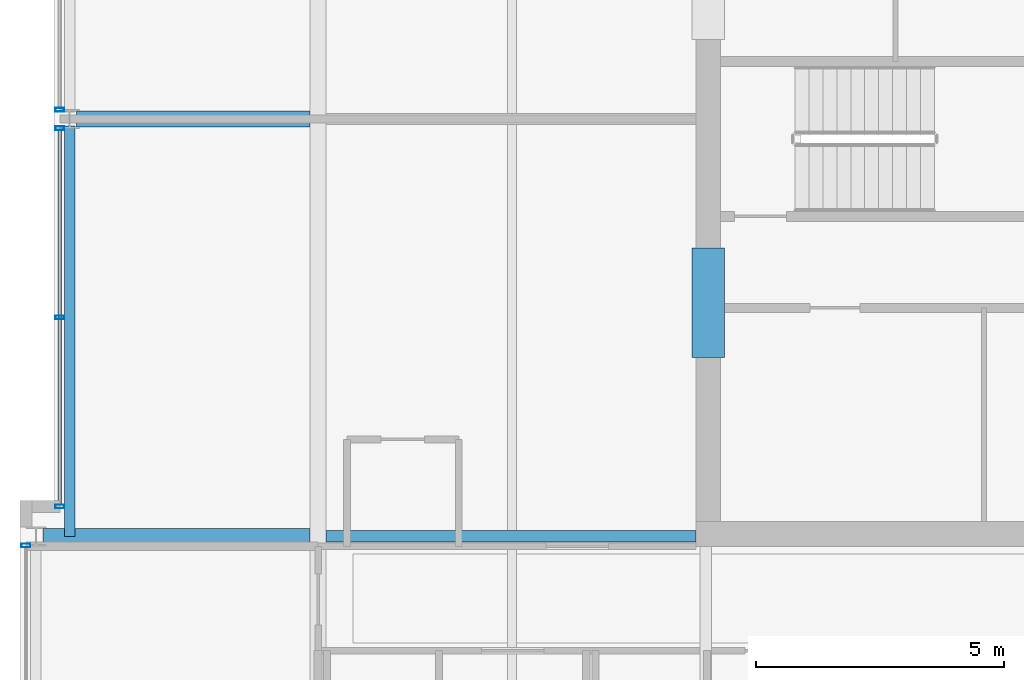
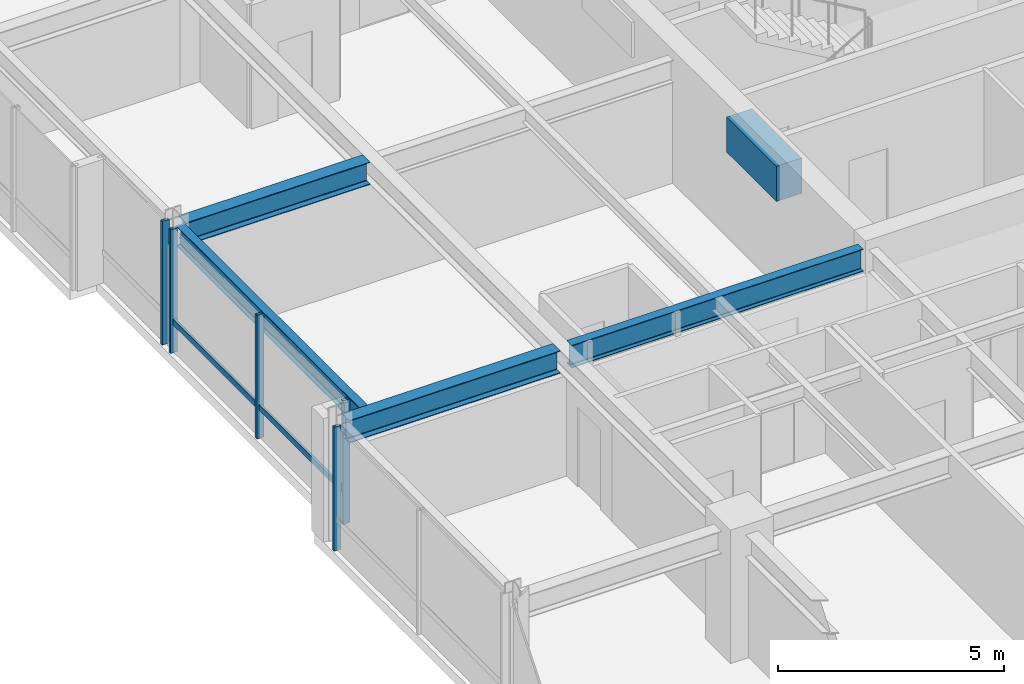
# One storey, part 9 of 34: 6 members, 5 beams, 3 elements without a shape of their own.
"""IFC4 building model written with IfcOpenShell, lengths in metres."""

from ifc_helpers import new_model, si_unit, direction, frame, origin, origin_2d, place, context, subcontext, project, spatial, rectangle, hollow_rectangle, i_section, extrude, material, layer, layer_set, material_profile, profile_set, type_object, element, aggregate, save


model = new_model("IFC4")

# Units and contexts
model_context = context("Model", 3, precision=1e-05, world=origin(), true_north=direction((0.0, 1.0)))
body_context = subcontext(model_context, "Body", "Model", "MODEL_VIEW")
ifc_project = project(units=[si_unit("LENGTHUNIT", "METRE"), si_unit("AREAUNIT", "SQUARE_METRE"), si_unit("VOLUMEUNIT", "CUBIC_METRE"), si_unit("PLANEANGLEUNIT", "RADIAN"), si_unit("MASSUNIT", "GRAM", prefix="KILO")], contexts=[model_context])

# Site, building, storey
site_placement = place(None, origin())
site = spatial("IfcSite", under=ifc_project, at=site_placement, CompositionType="ELEMENT")
building_placement = place(site_placement, origin())
building = spatial("IfcBuilding", under=site, at=building_placement, Name="Drelvath Grand Hotel", CompositionType="ELEMENT")
storey_placement = place(building_placement, frame((0.0, 0.0, 208.699951171875)))
storey = spatial("IfcBuildingStorey", under=building, at=storey_placement, Name="L54", CompositionType="ELEMENT", Elevation=208.699951171875)

# Beam
ifc_material_1 = material(Name="Concrete f'c 55 MPa", Category="concrete")
ifc_material_profile_1 = material_profile(ifc_material_1, rectangle(XDim=0.64990234375, YDim=0.949951171875, at=origin_2d()), Name="CB650X950")
ifc_profile_set_1 = profile_set([ifc_material_profile_1], Name="Concrete f'c 55 MPa")
beam_type_1 = type_object("IfcBeamType", Name="Core Coupling Lintel CB650X950", PredefinedType="LINTEL", material=ifc_profile_set_1)
beam_1_placement = place(storey_placement, frame((-8.35009765625, 22.199951171875, 2.864990234375), z_axis=(0.0, 1.0, 0.0), x_axis=(-1.0, 0.0, 0.0)))
element("IfcBeam", 1, at=beam_1_placement, inside=storey, type_object=beam_type_1, Name="L54 Core Coupling Lintel WS", PredefinedType="LINTEL", context=body_context, shape_type="SweptSolid", body=[
    extrude(rectangle(XDim=0.64990234375, YDim=0.949951171875, at=origin_2d()), origin(), (0.0, 0.0, 1.0), 2.199951171875),
])

# Curtain wall, member
ifc_material_2 = material(Name="Platinum-Mist Anodised Aluminium Frame", Category="aluminium")
ifc_layer = layer(ifc_material_2, 0.199951171875)
ifc_layer_set = layer_set([ifc_layer], Name="Platinum-Mist Anodised Aluminium Frame")
curtain_wall_type = type_object("IfcCurtainWallType", Name="Stick Curtain Wall CW-05 Platinum Mist High-Rise", PredefinedType="NOTDEFINED", material=ifc_layer_set)
curtain_wall_1_placement = place(storey_placement, origin())
curtain_wall_1 = element("IfcCurtainWall", 2, at=curtain_wall_1_placement, inside=storey, type_object=curtain_wall_type, Name="L54 CW-05 Curtain Wall CW05-L54-WM1", PredefinedType="NOTDEFINED")
ifc_material_profile_2 = material_profile(ifc_material_2, hollow_rectangle(XDim=0.06494140625, YDim=0.159912109375, WallThickness=0.00390625, at=origin_2d()), Name="HSS160X65X4")
ifc_profile_set_2 = profile_set([ifc_material_profile_2], Name="Platinum-Mist Anodised Aluminium Frame")
member_type_1 = type_object("IfcMemberType", Name="Curtain Wall Horizontal Transom CW-05 HSS160X65X4", PredefinedType="USERDEFINED", material=ifc_profile_set_2)
member_1_placement = place(storey_placement, frame((-21.39990234375, 19.239990234375, 0.8349609375), z_axis=(0.0, 1.0, 0.0), x_axis=(-1.0, 0.0, 0.0)))
member_1 = element("IfcMember", 3, at=member_1_placement, type_object=member_type_1, Name="CW05-L54-WM1 Sill Transom", ObjectType="TRANSOM", PredefinedType="USERDEFINED", context=body_context, shape_type="SweptSolid", body=[
    extrude(hollow_rectangle(XDim=0.06494140625, YDim=0.159912109375, WallThickness=0.00390625, at=origin_2d()), origin(), (0.0, 0.0, 1.0), 7.53466796875),
])

curtain_wall_2_placement = place(storey_placement, origin())
curtain_wall_2 = element("IfcCurtainWall", 4, at=curtain_wall_2_placement, inside=storey, type_object=curtain_wall_type, Name="L54 CW-05 Curtain Wall CW05-L54-WS2", PredefinedType="NOTDEFINED")
ifc_material_profile_3 = material_profile(ifc_material_2, hollow_rectangle(XDim=0.074951171875, YDim=0.179931640625, WallThickness=0.0048828125, at=origin_2d()), Name="HSS180X75X5")
ifc_profile_set_3 = profile_set([ifc_material_profile_3], Name="Platinum-Mist Anodised Aluminium Frame")
member_type_2 = type_object("IfcMemberType", Name="Curtain Wall Vertical Mullion CW-05 HSS180X75X5", PredefinedType="MULLION", material=ifc_profile_set_3)
member_2_placement = place(storey_placement, frame((-22.080078125, 18.414794921875, 0.0), z_axis=(0.0, 0.0, 1.0), x_axis=(0.0, 1.0, 0.0)))
member_2 = element("IfcMember", 5, at=member_2_placement, type_object=member_type_2, Name="CW05-L54-WS2 Mullion 3", PredefinedType="MULLION", context=body_context, shape_type="SweptSolid", body=[
    extrude(hollow_rectangle(XDim=0.074951171875, YDim=0.179931640625, WallThickness=0.0048828125, at=origin_2d()), origin(), (0.0, 0.0, 1.0), 3.340087890625),
])
aggregate(curtain_wall_2, [member_2])

# Member
member_3_placement = place(storey_placement, frame((-21.39990234375, 19.199951171875, 0.0), z_axis=(0.0, 0.0, 1.0), x_axis=(0.0, 1.0, 0.0)))
member_3 = element("IfcMember", 6, at=member_3_placement, type_object=member_type_2, Name="CW05-L54-WM1 Mullion 1", PredefinedType="MULLION", context=body_context, shape_type="SweptSolid", body=[
    extrude(hollow_rectangle(XDim=0.074951171875, YDim=0.179931640625, WallThickness=0.0048828125, at=origin_2d()), origin(), (0.0, 0.0, 1.0), 3.340087890625),
])

member_4_placement = place(storey_placement, frame((-21.39990234375, 23.00732421875, 0.0), z_axis=(0.0, 0.0, 1.0), x_axis=(0.0, 1.0, 0.0)))
member_4 = element("IfcMember", 7, at=member_4_placement, type_object=member_type_2, Name="CW05-L54-WM1 Mullion 2", PredefinedType="MULLION", context=body_context, shape_type="SweptSolid", body=[
    extrude(hollow_rectangle(XDim=0.074951171875, YDim=0.179931640625, WallThickness=0.0048828125, at=origin_2d()), origin(), (0.0, 0.0, 1.0), 3.340087890625),
])

member_5_placement = place(storey_placement, frame((-21.39990234375, 26.814697265625, 0.0), z_axis=(0.0, 0.0, 1.0), x_axis=(0.0, 1.0, 0.0)))
member_5 = element("IfcMember", 8, at=member_5_placement, type_object=member_type_2, Name="CW05-L54-WM1 Mullion 3", PredefinedType="MULLION", context=body_context, shape_type="SweptSolid", body=[
    extrude(hollow_rectangle(XDim=0.074951171875, YDim=0.179931640625, WallThickness=0.0048828125, at=origin_2d()), origin(), (0.0, 0.0, 1.0), 3.340087890625),
])

aggregate(curtain_wall_1, [member_3, member_4, member_5, member_1])

# Curtain wall, member
curtain_wall_3_placement = place(storey_placement, origin())
curtain_wall_3 = element("IfcCurtainWall", 9, at=curtain_wall_3_placement, inside=storey, type_object=curtain_wall_type, Name="L54 CW-05 Curtain Wall CW05-L54-WM2", PredefinedType="NOTDEFINED")
member_6_placement = place(storey_placement, frame((-21.39990234375, 27.185302734375, 0.0), z_axis=(0.0, 0.0, 1.0), x_axis=(0.0, 1.0, 0.0)))
member_6 = element("IfcMember", 10, at=member_6_placement, type_object=member_type_2, Name="CW05-L54-WM2 Mullion 1", PredefinedType="MULLION", context=body_context, shape_type="SweptSolid", body=[
    extrude(hollow_rectangle(XDim=0.074951171875, YDim=0.179931640625, WallThickness=0.0048828125, at=origin_2d()), origin(), (0.0, 0.0, 1.0), 3.340087890625),
])
aggregate(curtain_wall_3, [member_6])

# Beams
ifc_material_3 = material(Name="Steel ASTM A992 Gr 50", Category="steel")
ifc_material_profile_4 = material_profile(ifc_material_3, i_section(OverallWidth=0.210205078125, OverallDepth=0.53662109375, WebThickness=0.010986328125, FlangeThickness=0.017333984375, FilletRadius=0.01806640625, at=origin_2d()), Name="W21X68")
ifc_profile_set_4 = profile_set([ifc_material_profile_4], Name="Steel ASTM A992 Gr 50")
beam_type_2 = type_object("IfcBeamType", Name="Perimeter Spandrel Beam W21X68", PredefinedType="SPANDREL", material=ifc_profile_set_4)
beam_2_placement = place(storey_placement, frame((-21.199951171875, 18.60009765625, 3.071533203125), z_axis=(0.0, 1.0, 0.0), x_axis=(-1.0, 0.0, 0.0)))
element("IfcBeam", 11, at=beam_2_placement, inside=storey, type_object=beam_type_2, Name="L54 Spandrel West Mid S", PredefinedType="SPANDREL", context=body_context, shape_type="SweptSolid", body=[
    extrude(i_section(OverallWidth=0.210205078125, OverallDepth=0.53662109375, WebThickness=0.010986328125, FlangeThickness=0.017333984375, FilletRadius=0.01806640625, at=origin_2d()), origin(), (0.0, 0.0, 1.0), 8.260009765625),
])
ifc_material_profile_5 = material_profile(ifc_material_3, i_section(OverallWidth=0.323974609375, OverallDepth=0.611083984375, WebThickness=0.0126953125, FlangeThickness=0.01904296875, FilletRadius=0.02197265625, at=origin_2d()), Name="W24X104")
ifc_profile_set_5 = profile_set([ifc_material_profile_5], Name="Steel ASTM A992 Gr 50")
beam_type_3 = type_object("IfcBeamType", Name="Primary Floor Girder W24X104", PredefinedType="BEAM", material=ifc_profile_set_5)
beam_3_placement = place(storey_placement, frame((-21.739990234375, 18.60009765625, 3.034423828125), z_axis=(1.0, 0.0, 0.0), x_axis=(0.0, 1.0, 0.0)))
element("IfcBeam", 12, at=beam_3_placement, inside=storey, type_object=beam_type_3, Name="L54 West Wing Girder D", PredefinedType="BEAM", context=body_context, shape_type="SweptSolid", body=[
    extrude(i_section(OverallWidth=0.323974609375, OverallDepth=0.611083984375, WebThickness=0.0126953125, FlangeThickness=0.01904296875, FilletRadius=0.02197265625, at=origin_2d()), origin(), (0.0, 0.0, 1.0), 5.3779296875),
])
beam_4_placement = place(storey_placement, frame((-21.06005859375, 27.0, 3.034423828125), z_axis=(1.0, 0.0, 0.0), x_axis=(0.0, 1.0, 0.0)))
element("IfcBeam", 13, at=beam_4_placement, inside=storey, type_object=beam_type_3, Name="L54 West Wing Girder E", PredefinedType="BEAM", context=body_context, shape_type="SweptSolid", body=[
    extrude(i_section(OverallWidth=0.323974609375, OverallDepth=0.611083984375, WebThickness=0.0126953125, FlangeThickness=0.01904296875, FilletRadius=0.02197265625, at=origin_2d()), origin(), (0.0, 0.0, 1.0), 4.697998046875),
])
ifc_material_profile_6 = material_profile(ifc_material_3, i_section(OverallWidth=0.228271484375, OverallDepth=0.607666015625, WebThickness=0.01123046875, FlangeThickness=0.017333984375, FilletRadius=0.02001953125, at=origin_2d()), Name="W24X76")
ifc_profile_set_6 = profile_set([ifc_material_profile_6], Name="Steel ASTM A992 Gr 50")
beam_type_4 = type_object("IfcBeamType", Name="Primary Floor Girder W24X76", PredefinedType="BEAM", material=ifc_profile_set_6)
beam_5_placement = place(storey_placement, frame((-16.0380859375, 18.60009765625, 3.0361328125), z_axis=(1.0, 0.0, 0.0), x_axis=(0.0, 1.0, 0.0)))
element("IfcBeam", 14, at=beam_5_placement, inside=storey, type_object=beam_type_4, Name="L54 West Core Tie D", PredefinedType="BEAM", context=body_context, shape_type="SweptSolid", body=[
    extrude(i_section(OverallWidth=0.228271484375, OverallDepth=0.607666015625, WebThickness=0.01123046875, FlangeThickness=0.017333984375, FilletRadius=0.02001953125, at=origin_2d()), origin(), (0.0, 0.0, 1.0), 7.43798828125),
])

save(model, "model.ifc")
